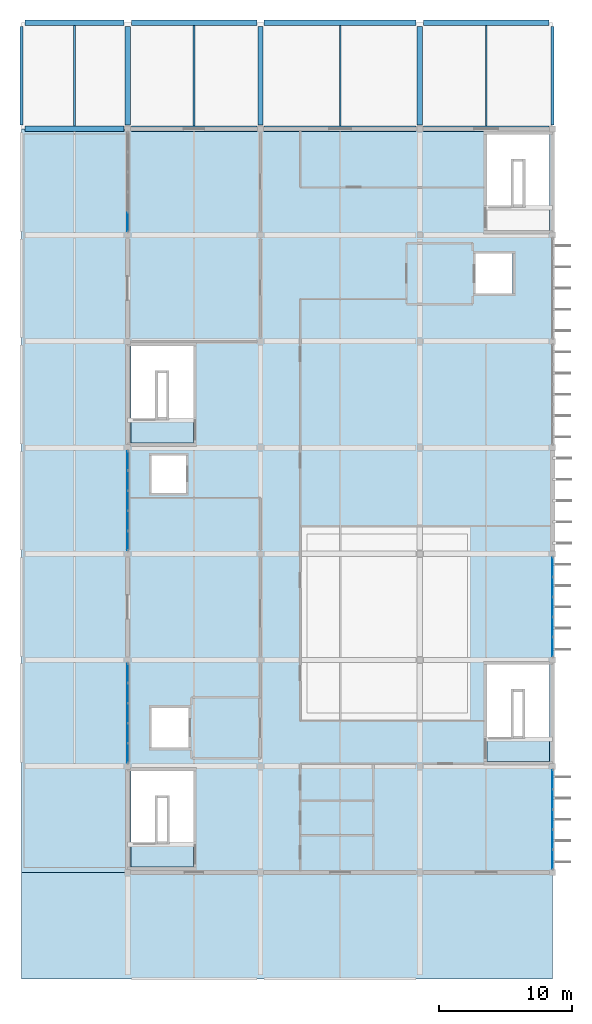
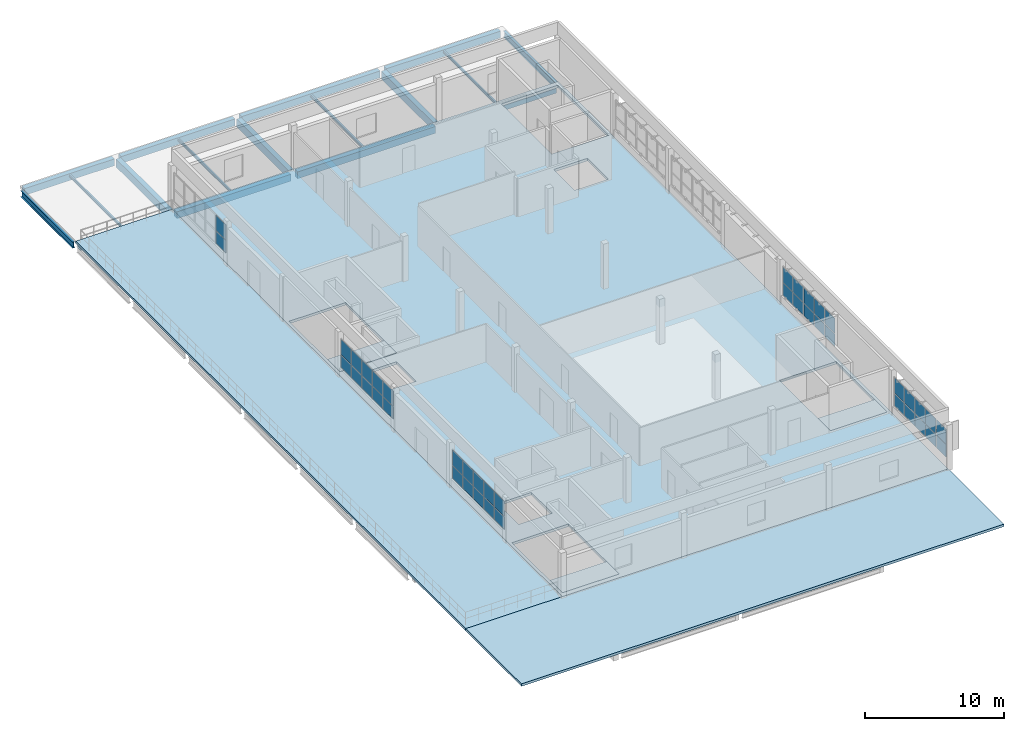
# One storey, part 7 of 12: 42 plates, 17 beams, 6 slabs, 5 elements without a shape of their own.
"""IFC4 building model written with IfcOpenShell, lengths in metres."""

from ifc_helpers import new_model, si_unit, direction, frame, origin, origin_2d, place, context, subcontext, project, spatial, polyline, rectangle, i_section, outline, extrude, material, layer, layer_set, material_profile, profile_set, type_object, element, aggregate, save


model = new_model("IFC4")

# Units and contexts
model_context = context("Model", 3, precision=1e-05, world=origin(), true_north=direction((0.0, 1.0)))
body_context = subcontext(model_context, "Body", "Model", "MODEL_VIEW")
ifc_project = project(units=[si_unit("LENGTHUNIT", "METRE"), si_unit("AREAUNIT", "SQUARE_METRE"), si_unit("VOLUMEUNIT", "CUBIC_METRE"), si_unit("PLANEANGLEUNIT", "RADIAN"), si_unit("MASSUNIT", "GRAM", prefix="KILO")], contexts=[model_context])

# Site, building, storey
site_placement = place(None, origin())
site = spatial("IfcSite", under=ifc_project, at=site_placement, CompositionType="ELEMENT")
building_placement = place(site_placement, origin())
building = spatial("IfcBuilding", under=site, at=building_placement, Name="Drelvana Railside Aquatics Centre", CompositionType="ELEMENT")
storey_placement = place(building_placement, frame((0.0, 0.0, 18.60009765625)))
storey = spatial("IfcBuildingStorey", under=building, at=storey_placement, Name="L04", CompositionType="ELEMENT", Elevation=18.60009765625)

# Beams
ifc_material_1 = material(Name="Concrete C40/50", Category="concrete")
ifc_material_profile_1 = material_profile(ifc_material_1, rectangle(XDim=0.39990234375, YDim=0.60009765625, at=origin_2d()), Name="RC 400x600")
ifc_profile_set_1 = profile_set([ifc_material_profile_1], Name="Concrete C40/50")
beam_type_1 = type_object("IfcBeamType", Name="STR-BM-BM-02-RC-400x600", PredefinedType="BEAM", material=ifc_profile_set_1)
beam_1_placement = place(storey_placement, frame((144.27490234375, 80.0, -0.525146484375), z_axis=(1.0, 0.0, 0.0), x_axis=(0.0, 1.0, 0.0)))
element("IfcBeam", 1, at=beam_1_placement, inside=storey, type_object=beam_type_1, Name="Girder BM-02 (L04)", PredefinedType="BEAM", context=body_context, shape_type="SweptSolid", body=[
    extrude(rectangle(XDim=0.39990234375, YDim=0.60009765625, at=origin_2d()), origin(), (0.0, 0.0, 1.0), 7.4501953125),
])
beam_2_placement = place(storey_placement, frame((152.27490234375, 80.0, -0.525146484375), z_axis=(1.0, 0.0, 0.0), x_axis=(0.0, 1.0, 0.0)))
element("IfcBeam", 2, at=beam_2_placement, inside=storey, type_object=beam_type_1, Name="Girder BM-02 (L04)", PredefinedType="BEAM", context=body_context, shape_type="SweptSolid", body=[
    extrude(rectangle(XDim=0.39990234375, YDim=0.60009765625, at=origin_2d()), origin(), (0.0, 0.0, 1.0), 9.4501953125),
])
beam_3_placement = place(storey_placement, frame((162.27490234375, 80.0, -0.525146484375), z_axis=(1.0, 0.0, 0.0), x_axis=(0.0, 1.0, 0.0)))
element("IfcBeam", 3, at=beam_3_placement, inside=storey, type_object=beam_type_1, Name="Girder BM-02 (L04)", PredefinedType="BEAM", context=body_context, shape_type="SweptSolid", body=[
    extrude(rectangle(XDim=0.39990234375, YDim=0.60009765625, at=origin_2d()), origin(), (0.0, 0.0, 1.0), 11.4501953125),
])
beam_4_placement = place(storey_placement, frame((174.27490234375, 80.0, -0.525146484375), z_axis=(1.0, 0.0, 0.0), x_axis=(0.0, 1.0, 0.0)))
element("IfcBeam", 4, at=beam_4_placement, inside=storey, type_object=beam_type_1, Name="Girder BM-02 (L04)", PredefinedType="BEAM", context=body_context, shape_type="SweptSolid", body=[
    extrude(rectangle(XDim=0.39990234375, YDim=0.60009765625, at=origin_2d()), origin(), (0.0, 0.0, 1.0), 9.4501953125),
])
beam_5_placement = place(storey_placement, frame((144.27490234375, 88.0, -0.525146484375), z_axis=(1.0, 0.0, 0.0), x_axis=(0.0, 1.0, 0.0)))
element("IfcBeam", 5, at=beam_5_placement, inside=storey, type_object=beam_type_1, Name="Girder BM-02 (L04)", PredefinedType="BEAM", context=body_context, shape_type="SweptSolid", body=[
    extrude(rectangle(XDim=0.39990234375, YDim=0.60009765625, at=origin_2d()), origin(), (0.0, 0.0, 1.0), 7.4501953125),
])
beam_6_placement = place(storey_placement, frame((152.27490234375, 88.0, -0.525146484375), z_axis=(1.0, 0.0, 0.0), x_axis=(0.0, 1.0, 0.0)))
element("IfcBeam", 6, at=beam_6_placement, inside=storey, type_object=beam_type_1, Name="Girder BM-02 (L04)", PredefinedType="BEAM", context=body_context, shape_type="SweptSolid", body=[
    extrude(rectangle(XDim=0.39990234375, YDim=0.60009765625, at=origin_2d()), origin(), (0.0, 0.0, 1.0), 9.4501953125),
])
beam_7_placement = place(storey_placement, frame((162.27490234375, 88.0, -0.525146484375), z_axis=(1.0, 0.0, 0.0), x_axis=(0.0, 1.0, 0.0)))
element("IfcBeam", 7, at=beam_7_placement, inside=storey, type_object=beam_type_1, Name="Girder BM-02 (L04)", PredefinedType="BEAM", context=body_context, shape_type="SweptSolid", body=[
    extrude(rectangle(XDim=0.39990234375, YDim=0.60009765625, at=origin_2d()), origin(), (0.0, 0.0, 1.0), 11.4501953125),
])
beam_8_placement = place(storey_placement, frame((174.27490234375, 88.0, -0.525146484375), z_axis=(1.0, 0.0, 0.0), x_axis=(0.0, 1.0, 0.0)))
element("IfcBeam", 8, at=beam_8_placement, inside=storey, type_object=beam_type_1, Name="Girder BM-02 (L04)", PredefinedType="BEAM", context=body_context, shape_type="SweptSolid", body=[
    extrude(rectangle(XDim=0.39990234375, YDim=0.60009765625, at=origin_2d()), origin(), (0.0, 0.0, 1.0), 9.4501953125),
])
ifc_material_profile_2 = material_profile(ifc_material_1, rectangle(XDim=0.39990234375, YDim=0.699951171875, at=origin_2d()), Name="RC 400x700")
ifc_profile_set_2 = profile_set([ifc_material_profile_2], Name="Concrete C40/50")
beam_type_2 = type_object("IfcBeamType", Name="STR-BM-BM-03-RC-400x700", PredefinedType="BEAM", material=ifc_profile_set_2)
for number, where, z_axis, x_axis, name in (
    (9, (152.0, 80.27490234375, -0.5751953125), (0.0, 1.0, 0.0), (-1.0, 0.0, 0.0), "Girder BM-03 (L04)"),
    (10, (162.0, 80.27490234375, -0.5751953125), (0.0, 1.0, 0.0), (-1.0, 0.0, 0.0), "Girder BM-03 (L04)"),
    (11, (174.0, 80.27490234375, -0.5751953125), (0.0, 1.0, 0.0), (-1.0, 0.0, 0.0), "Girder BM-03 (L04)"),
):
    element("IfcBeam", number, at=place(storey_placement, frame(where, z_axis=z_axis, x_axis=x_axis)), inside=storey, type_object=beam_type_2, Name=name, PredefinedType="BEAM", context=body_context, shape_type="SweptSolid", body=[
        extrude(rectangle(XDim=0.39990234375, YDim=0.699951171875, at=origin_2d()), origin(), (0.0, 0.0, 1.0), 7.4501953125),
    ])
ifc_material_2 = material(Name="Structural steel S355", Category="steel")
ifc_material_profile_3 = material_profile(ifc_material_2, i_section(OverallWidth=0.2099609375, OverallDepth=0.550048828125, WebThickness=0.010986328125, FlangeThickness=0.01708984375, at=origin_2d()), Name="IPE 550")
ifc_profile_set_3 = profile_set([ifc_material_profile_3], Name="Structural steel S355")
beam_type_3 = type_object("IfcBeamType", Name="STR-SBM-SB-04-IPE-550", PredefinedType="SPANDREL", material=ifc_profile_set_3)
for number, where, z_axis, x_axis, name in (
    (12, (144.0, 80.27490234375, -0.5), (0.0, 1.0, 0.0), (-1.0, 0.0, 0.0), "Girder SB-04 (L04)"),
    (13, (184.0, 80.27490234375, -0.5), (0.0, 1.0, 0.0), (-1.0, 0.0, 0.0), "Girder SB-04 (L04)"),
):
    element("IfcBeam", number, at=place(storey_placement, frame(where, z_axis=z_axis, x_axis=x_axis)), inside=storey, type_object=beam_type_3, Name=name, PredefinedType="SPANDREL", context=body_context, shape_type="SweptSolid", body=[
        extrude(i_section(OverallWidth=0.2099609375, OverallDepth=0.550048828125, WebThickness=0.010986328125, FlangeThickness=0.01708984375, at=origin_2d()), origin(), (0.0, 0.0, 1.0), 7.4501953125),
    ])
ifc_material_profile_4 = material_profile(ifc_material_2, i_section(OverallWidth=0.1201171875, OverallDepth=0.239990234375, WebThickness=0.006103515625, FlangeThickness=0.009765625, at=origin_2d()), Name="IPE 240")
ifc_profile_set_4 = profile_set([ifc_material_profile_4], Name="Structural steel S355")
beam_type_4 = type_object("IfcBeamType", Name="STR-SBM-SJ-01-IPE-240", PredefinedType="JOIST", material=ifc_profile_set_4)
for number, where, z_axis, x_axis, name in (
    (14, (148.0, 80.199951171875, -0.34521484375), (0.0, 1.0, 0.0), (-1.0, 0.0, 0.0), "Secondary floor joist SJ-01 (L04)"),
    (15, (157.0, 80.199951171875, -0.34521484375), (0.0, 1.0, 0.0), (-1.0, 0.0, 0.0), "Secondary floor joist SJ-01 (L04)"),
    (16, (168.0, 80.199951171875, -0.34521484375), (0.0, 1.0, 0.0), (-1.0, 0.0, 0.0), "Secondary floor joist SJ-01 (L04)"),
    (17, (179.0, 80.199951171875, -0.34521484375), (0.0, 1.0, 0.0), (-1.0, 0.0, 0.0), "Secondary floor joist SJ-01 (L04)"),
):
    element("IfcBeam", number, at=place(storey_placement, frame(where, z_axis=z_axis, x_axis=x_axis)), inside=storey, type_object=beam_type_4, Name=name, PredefinedType="JOIST", context=body_context, shape_type="SweptSolid", body=[
        extrude(i_section(OverallWidth=0.1201171875, OverallDepth=0.239990234375, WebThickness=0.006103515625, FlangeThickness=0.009765625, at=origin_2d()), origin(), (0.0, 0.0, 1.0), 7.60009765625),
    ])

# Curtain wall, plates
ifc_material_3 = material(Name="Bronze-anodised aluminium curtain wall", Category="aluminium")
ifc_layer_1 = layer(ifc_material_3, 0.175048828125, Name="Bronze-anodised aluminium curtain wall")
ifc_layer_set_1 = layer_set([ifc_layer_1], Name="Bronze-anodised aluminium curtain wall")
curtain_wall_type = type_object("IfcCurtainWallType", Name="CW-Z6-WING", PredefinedType="NOTDEFINED", material=ifc_layer_set_1)
curtain_wall_1_placement = place(storey_placement, origin())
curtain_wall_1 = element("IfcCurtainWall", 18, at=curtain_wall_1_placement, inside=storey, type_object=curtain_wall_type, Name="Curtain wall CW-06-163", PredefinedType="NOTDEFINED")
ifc_material_4 = material(Name="Double-glazed low-e solar-control glass", Category="glass")
ifc_layer_2 = layer(ifc_material_4, 0.02392578125, Name="Double-glazed low-e solar-control glass")
ifc_layer_set_2 = layer_set([ifc_layer_2], Name="Double-glazed low-e solar-control glass")
plate_type = type_object("IfcPlateType", Name="CW-Z6-WING-PAN", PredefinedType="CURTAIN_PANEL", material=ifc_layer_set_2)
plate_1_placement = place(storey_placement, frame((152.0, 32.991455078125, 0.84912109375), z_axis=(0.0, 0.0, 1.0), x_axis=(0.0, 1.0, 0.0)))
plate_1 = element("IfcPlate", 19, at=plate_1_placement, type_object=plate_type, Name="CW-06 panel 1.1", PredefinedType="CURTAIN_PANEL", context=body_context, shape_type="SweptSolid", body=[
    extrude(rectangle(XDim=1.4248046875, YDim=0.02392578125, at=origin_2d()), origin(), (0.0, 0.0, 1.0), 1.076904296875),
])
plate_2_placement = place(storey_placement, frame((152.0, 32.991455078125, 1.975830078125), z_axis=(0.0, 0.0, 1.0), x_axis=(0.0, 1.0, 0.0)))
plate_2 = element("IfcPlate", 20, at=plate_2_placement, type_object=plate_type, Name="CW-06 panel 1.2", PredefinedType="CURTAIN_PANEL", context=body_context, shape_type="SweptSolid", body=[
    extrude(rectangle(XDim=1.4248046875, YDim=0.02392578125, at=origin_2d()), origin(), (0.0, 0.0, 1.0), 1.333984375),
])
plate_3_placement = place(storey_placement, frame((152.0, 34.487548828125, 0.84912109375), z_axis=(0.0, 0.0, 1.0), x_axis=(0.0, 1.0, 0.0)))
plate_3 = element("IfcPlate", 21, at=plate_3_placement, type_object=plate_type, Name="CW-06 panel 2.1", PredefinedType="CURTAIN_PANEL", context=body_context, shape_type="SweptSolid", body=[
    extrude(rectangle(XDim=1.45751953125, YDim=0.02392578125, at=origin_2d()), origin(), (0.0, 0.0, 1.0), 1.076904296875),
])
plate_4_placement = place(storey_placement, frame((152.0, 34.487548828125, 1.975830078125), z_axis=(0.0, 0.0, 1.0), x_axis=(0.0, 1.0, 0.0)))
plate_4 = element("IfcPlate", 22, at=plate_4_placement, type_object=plate_type, Name="CW-06 panel 2.2", PredefinedType="CURTAIN_PANEL", context=body_context, shape_type="SweptSolid", body=[
    extrude(rectangle(XDim=1.45751953125, YDim=0.02392578125, at=origin_2d()), origin(), (0.0, 0.0, 1.0), 1.333984375),
])
plate_5_placement = place(storey_placement, frame((152.0, 36.0, 0.84912109375), z_axis=(0.0, 0.0, 1.0), x_axis=(0.0, 1.0, 0.0)))
plate_5 = element("IfcPlate", 23, at=plate_5_placement, type_object=plate_type, Name="CW-06 panel 3.1", PredefinedType="CURTAIN_PANEL", context=body_context, shape_type="SweptSolid", body=[
    extrude(rectangle(XDim=1.45751953125, YDim=0.02392578125, at=origin_2d()), origin(), (0.0, 0.0, 1.0), 1.076904296875),
])
plate_6_placement = place(storey_placement, frame((152.0, 36.0, 1.975830078125), z_axis=(0.0, 0.0, 1.0), x_axis=(0.0, 1.0, 0.0)))
plate_6 = element("IfcPlate", 24, at=plate_6_placement, type_object=plate_type, Name="CW-06 panel 3.2", PredefinedType="CURTAIN_PANEL", context=body_context, shape_type="SweptSolid", body=[
    extrude(rectangle(XDim=1.45751953125, YDim=0.02392578125, at=origin_2d()), origin(), (0.0, 0.0, 1.0), 1.333984375),
])
plate_7_placement = place(storey_placement, frame((152.0, 37.512451171875, 0.84912109375), z_axis=(0.0, 0.0, 1.0), x_axis=(0.0, 1.0, 0.0)))
plate_7 = element("IfcPlate", 25, at=plate_7_placement, type_object=plate_type, Name="CW-06 panel 4.1", PredefinedType="CURTAIN_PANEL", context=body_context, shape_type="SweptSolid", body=[
    extrude(rectangle(XDim=1.45751953125, YDim=0.02392578125, at=origin_2d()), origin(), (0.0, 0.0, 1.0), 1.076904296875),
])
plate_8_placement = place(storey_placement, frame((152.0, 37.512451171875, 1.975830078125), z_axis=(0.0, 0.0, 1.0), x_axis=(0.0, 1.0, 0.0)))
plate_8 = element("IfcPlate", 26, at=plate_8_placement, type_object=plate_type, Name="CW-06 panel 4.2", PredefinedType="CURTAIN_PANEL", context=body_context, shape_type="SweptSolid", body=[
    extrude(rectangle(XDim=1.45751953125, YDim=0.02392578125, at=origin_2d()), origin(), (0.0, 0.0, 1.0), 1.333984375),
])
plate_9_placement = place(storey_placement, frame((152.0, 39.008544921875, 0.84912109375), z_axis=(0.0, 0.0, 1.0), x_axis=(0.0, 1.0, 0.0)))
plate_9 = element("IfcPlate", 27, at=plate_9_placement, type_object=plate_type, Name="CW-06 panel 5.1", PredefinedType="CURTAIN_PANEL", context=body_context, shape_type="SweptSolid", body=[
    extrude(rectangle(XDim=1.4248046875, YDim=0.02392578125, at=origin_2d()), origin(), (0.0, 0.0, 1.0), 1.076904296875),
])
plate_10_placement = place(storey_placement, frame((152.0, 39.008544921875, 1.975830078125), z_axis=(0.0, 0.0, 1.0), x_axis=(0.0, 1.0, 0.0)))
plate_10 = element("IfcPlate", 28, at=plate_10_placement, type_object=plate_type, Name="CW-06 panel 5.2", PredefinedType="CURTAIN_PANEL", context=body_context, shape_type="SweptSolid", body=[
    extrude(rectangle(XDim=1.4248046875, YDim=0.02392578125, at=origin_2d()), origin(), (0.0, 0.0, 1.0), 1.333984375),
])
aggregate(curtain_wall_1, [plate_1, plate_2, plate_3, plate_4, plate_5, plate_6, plate_7, plate_8, plate_9, plate_10])

curtain_wall_2_placement = place(storey_placement, origin())
curtain_wall_2 = element("IfcCurtainWall", 29, at=curtain_wall_2_placement, inside=storey, type_object=curtain_wall_type, Name="Curtain wall CW-06-164", PredefinedType="NOTDEFINED")
plate_11_placement = place(storey_placement, frame((152.0, 48.991455078125, 0.84912109375), z_axis=(0.0, 0.0, 1.0), x_axis=(0.0, 1.0, 0.0)))
plate_11 = element("IfcPlate", 30, at=plate_11_placement, type_object=plate_type, Name="CW-06 panel 1.1", PredefinedType="CURTAIN_PANEL", context=body_context, shape_type="SweptSolid", body=[
    extrude(rectangle(XDim=1.4248046875, YDim=0.02392578125, at=origin_2d()), origin(), (0.0, 0.0, 1.0), 1.076904296875),
])
plate_12_placement = place(storey_placement, frame((152.0, 48.991455078125, 1.975830078125), z_axis=(0.0, 0.0, 1.0), x_axis=(0.0, 1.0, 0.0)))
plate_12 = element("IfcPlate", 31, at=plate_12_placement, type_object=plate_type, Name="CW-06 panel 1.2", PredefinedType="CURTAIN_PANEL", context=body_context, shape_type="SweptSolid", body=[
    extrude(rectangle(XDim=1.4248046875, YDim=0.02392578125, at=origin_2d()), origin(), (0.0, 0.0, 1.0), 1.333984375),
])
plate_13_placement = place(storey_placement, frame((152.0, 50.487548828125, 0.84912109375), z_axis=(0.0, 0.0, 1.0), x_axis=(0.0, 1.0, 0.0)))
plate_13 = element("IfcPlate", 32, at=plate_13_placement, type_object=plate_type, Name="CW-06 panel 2.1", PredefinedType="CURTAIN_PANEL", context=body_context, shape_type="SweptSolid", body=[
    extrude(rectangle(XDim=1.45751953125, YDim=0.02392578125, at=origin_2d()), origin(), (0.0, 0.0, 1.0), 1.076904296875),
])
plate_14_placement = place(storey_placement, frame((152.0, 50.487548828125, 1.975830078125), z_axis=(0.0, 0.0, 1.0), x_axis=(0.0, 1.0, 0.0)))
plate_14 = element("IfcPlate", 33, at=plate_14_placement, type_object=plate_type, Name="CW-06 panel 2.2", PredefinedType="CURTAIN_PANEL", context=body_context, shape_type="SweptSolid", body=[
    extrude(rectangle(XDim=1.45751953125, YDim=0.02392578125, at=origin_2d()), origin(), (0.0, 0.0, 1.0), 1.333984375),
])
plate_15_placement = place(storey_placement, frame((152.0, 52.0, 0.84912109375), z_axis=(0.0, 0.0, 1.0), x_axis=(0.0, 1.0, 0.0)))
plate_15 = element("IfcPlate", 34, at=plate_15_placement, type_object=plate_type, Name="CW-06 panel 3.1", PredefinedType="CURTAIN_PANEL", context=body_context, shape_type="SweptSolid", body=[
    extrude(rectangle(XDim=1.45751953125, YDim=0.02392578125, at=origin_2d()), origin(), (0.0, 0.0, 1.0), 1.076904296875),
])
plate_16_placement = place(storey_placement, frame((152.0, 52.0, 1.975830078125), z_axis=(0.0, 0.0, 1.0), x_axis=(0.0, 1.0, 0.0)))
plate_16 = element("IfcPlate", 35, at=plate_16_placement, type_object=plate_type, Name="CW-06 panel 3.2", PredefinedType="CURTAIN_PANEL", context=body_context, shape_type="SweptSolid", body=[
    extrude(rectangle(XDim=1.45751953125, YDim=0.02392578125, at=origin_2d()), origin(), (0.0, 0.0, 1.0), 1.333984375),
])
plate_17_placement = place(storey_placement, frame((152.0, 53.512451171875, 0.84912109375), z_axis=(0.0, 0.0, 1.0), x_axis=(0.0, 1.0, 0.0)))
plate_17 = element("IfcPlate", 36, at=plate_17_placement, type_object=plate_type, Name="CW-06 panel 4.1", PredefinedType="CURTAIN_PANEL", context=body_context, shape_type="SweptSolid", body=[
    extrude(rectangle(XDim=1.45751953125, YDim=0.02392578125, at=origin_2d()), origin(), (0.0, 0.0, 1.0), 1.076904296875),
])
plate_18_placement = place(storey_placement, frame((152.0, 53.512451171875, 1.975830078125), z_axis=(0.0, 0.0, 1.0), x_axis=(0.0, 1.0, 0.0)))
plate_18 = element("IfcPlate", 37, at=plate_18_placement, type_object=plate_type, Name="CW-06 panel 4.2", PredefinedType="CURTAIN_PANEL", context=body_context, shape_type="SweptSolid", body=[
    extrude(rectangle(XDim=1.45751953125, YDim=0.02392578125, at=origin_2d()), origin(), (0.0, 0.0, 1.0), 1.333984375),
])
plate_19_placement = place(storey_placement, frame((152.0, 55.008544921875, 0.84912109375), z_axis=(0.0, 0.0, 1.0), x_axis=(0.0, 1.0, 0.0)))
plate_19 = element("IfcPlate", 38, at=plate_19_placement, type_object=plate_type, Name="CW-06 panel 5.1", PredefinedType="CURTAIN_PANEL", context=body_context, shape_type="SweptSolid", body=[
    extrude(rectangle(XDim=1.4248046875, YDim=0.02392578125, at=origin_2d()), origin(), (0.0, 0.0, 1.0), 1.076904296875),
])
plate_20_placement = place(storey_placement, frame((152.0, 55.008544921875, 1.975830078125), z_axis=(0.0, 0.0, 1.0), x_axis=(0.0, 1.0, 0.0)))
plate_20 = element("IfcPlate", 39, at=plate_20_placement, type_object=plate_type, Name="CW-06 panel 5.2", PredefinedType="CURTAIN_PANEL", context=body_context, shape_type="SweptSolid", body=[
    extrude(rectangle(XDim=1.4248046875, YDim=0.02392578125, at=origin_2d()), origin(), (0.0, 0.0, 1.0), 1.333984375),
])
aggregate(curtain_wall_2, [plate_11, plate_12, plate_13, plate_14, plate_15, plate_16, plate_17, plate_18, plate_19, plate_20])

curtain_wall_3_placement = place(storey_placement, origin())
curtain_wall_3 = element("IfcCurtainWall", 40, at=curtain_wall_3_placement, inside=storey, type_object=curtain_wall_type, Name="Curtain wall CW-06-165", PredefinedType="NOTDEFINED")
plate_21_placement = place(storey_placement, frame((152.0, 72.991455078125, 0.84912109375), z_axis=(0.0, 0.0, 1.0), x_axis=(0.0, 1.0, 0.0)))
plate_21 = element("IfcPlate", 41, at=plate_21_placement, type_object=plate_type, Name="CW-06 panel 1.1", PredefinedType="CURTAIN_PANEL", context=body_context, shape_type="SweptSolid", body=[
    extrude(rectangle(XDim=1.4248046875, YDim=0.02392578125, at=origin_2d()), origin(), (0.0, 0.0, 1.0), 1.076904296875),
])
plate_22_placement = place(storey_placement, frame((152.0, 72.991455078125, 1.975830078125), z_axis=(0.0, 0.0, 1.0), x_axis=(0.0, 1.0, 0.0)))
plate_22 = element("IfcPlate", 42, at=plate_22_placement, type_object=plate_type, Name="CW-06 panel 1.2", PredefinedType="CURTAIN_PANEL", context=body_context, shape_type="SweptSolid", body=[
    extrude(rectangle(XDim=1.4248046875, YDim=0.02392578125, at=origin_2d()), origin(), (0.0, 0.0, 1.0), 1.333984375),
])
aggregate(curtain_wall_3, [plate_21, plate_22])

curtain_wall_4_placement = place(storey_placement, origin())
curtain_wall_4 = element("IfcCurtainWall", 43, at=curtain_wall_4_placement, inside=storey, type_object=curtain_wall_type, Name="Curtain wall CW-06-170", PredefinedType="NOTDEFINED")
plate_23_placement = place(storey_placement, frame((184.0, 24.991455078125, 0.84912109375), z_axis=(0.0, 0.0, 1.0), x_axis=(0.0, 1.0, 0.0)))
plate_23 = element("IfcPlate", 44, at=plate_23_placement, type_object=plate_type, Name="CW-06 panel 1.1", PredefinedType="CURTAIN_PANEL", context=body_context, shape_type="SweptSolid", body=[
    extrude(rectangle(XDim=1.4248046875, YDim=0.02392578125, at=origin_2d()), origin(), (0.0, 0.0, 1.0), 1.076904296875),
])
plate_24_placement = place(storey_placement, frame((184.0, 24.991455078125, 1.975830078125), z_axis=(0.0, 0.0, 1.0), x_axis=(0.0, 1.0, 0.0)))
plate_24 = element("IfcPlate", 45, at=plate_24_placement, type_object=plate_type, Name="CW-06 panel 1.2", PredefinedType="CURTAIN_PANEL", context=body_context, shape_type="SweptSolid", body=[
    extrude(rectangle(XDim=1.4248046875, YDim=0.02392578125, at=origin_2d()), origin(), (0.0, 0.0, 1.0), 1.333984375),
])
plate_25_placement = place(storey_placement, frame((184.0, 26.487548828125, 0.84912109375), z_axis=(0.0, 0.0, 1.0), x_axis=(0.0, 1.0, 0.0)))
plate_25 = element("IfcPlate", 46, at=plate_25_placement, type_object=plate_type, Name="CW-06 panel 2.1", PredefinedType="CURTAIN_PANEL", context=body_context, shape_type="SweptSolid", body=[
    extrude(rectangle(XDim=1.45751953125, YDim=0.02392578125, at=origin_2d()), origin(), (0.0, 0.0, 1.0), 1.076904296875),
])
plate_26_placement = place(storey_placement, frame((184.0, 26.487548828125, 1.975830078125), z_axis=(0.0, 0.0, 1.0), x_axis=(0.0, 1.0, 0.0)))
plate_26 = element("IfcPlate", 47, at=plate_26_placement, type_object=plate_type, Name="CW-06 panel 2.2", PredefinedType="CURTAIN_PANEL", context=body_context, shape_type="SweptSolid", body=[
    extrude(rectangle(XDim=1.45751953125, YDim=0.02392578125, at=origin_2d()), origin(), (0.0, 0.0, 1.0), 1.333984375),
])
plate_27_placement = place(storey_placement, frame((184.0, 28.0, 0.84912109375), z_axis=(0.0, 0.0, 1.0), x_axis=(0.0, 1.0, 0.0)))
plate_27 = element("IfcPlate", 48, at=plate_27_placement, type_object=plate_type, Name="CW-06 panel 3.1", PredefinedType="CURTAIN_PANEL", context=body_context, shape_type="SweptSolid", body=[
    extrude(rectangle(XDim=1.45751953125, YDim=0.02392578125, at=origin_2d()), origin(), (0.0, 0.0, 1.0), 1.076904296875),
])
plate_28_placement = place(storey_placement, frame((184.0, 28.0, 1.975830078125), z_axis=(0.0, 0.0, 1.0), x_axis=(0.0, 1.0, 0.0)))
plate_28 = element("IfcPlate", 49, at=plate_28_placement, type_object=plate_type, Name="CW-06 panel 3.2", PredefinedType="CURTAIN_PANEL", context=body_context, shape_type="SweptSolid", body=[
    extrude(rectangle(XDim=1.45751953125, YDim=0.02392578125, at=origin_2d()), origin(), (0.0, 0.0, 1.0), 1.333984375),
])
plate_29_placement = place(storey_placement, frame((184.0, 29.512451171875, 0.84912109375), z_axis=(0.0, 0.0, 1.0), x_axis=(0.0, 1.0, 0.0)))
plate_29 = element("IfcPlate", 50, at=plate_29_placement, type_object=plate_type, Name="CW-06 panel 4.1", PredefinedType="CURTAIN_PANEL", context=body_context, shape_type="SweptSolid", body=[
    extrude(rectangle(XDim=1.45751953125, YDim=0.02392578125, at=origin_2d()), origin(), (0.0, 0.0, 1.0), 1.076904296875),
])
plate_30_placement = place(storey_placement, frame((184.0, 29.512451171875, 1.975830078125), z_axis=(0.0, 0.0, 1.0), x_axis=(0.0, 1.0, 0.0)))
plate_30 = element("IfcPlate", 51, at=plate_30_placement, type_object=plate_type, Name="CW-06 panel 4.2", PredefinedType="CURTAIN_PANEL", context=body_context, shape_type="SweptSolid", body=[
    extrude(rectangle(XDim=1.45751953125, YDim=0.02392578125, at=origin_2d()), origin(), (0.0, 0.0, 1.0), 1.333984375),
])
plate_31_placement = place(storey_placement, frame((184.0, 31.008544921875, 0.84912109375), z_axis=(0.0, 0.0, 1.0), x_axis=(0.0, 1.0, 0.0)))
plate_31 = element("IfcPlate", 52, at=plate_31_placement, type_object=plate_type, Name="CW-06 panel 5.1", PredefinedType="CURTAIN_PANEL", context=body_context, shape_type="SweptSolid", body=[
    extrude(rectangle(XDim=1.4248046875, YDim=0.02392578125, at=origin_2d()), origin(), (0.0, 0.0, 1.0), 1.076904296875),
])
plate_32_placement = place(storey_placement, frame((184.0, 31.008544921875, 1.975830078125), z_axis=(0.0, 0.0, 1.0), x_axis=(0.0, 1.0, 0.0)))
plate_32 = element("IfcPlate", 53, at=plate_32_placement, type_object=plate_type, Name="CW-06 panel 5.2", PredefinedType="CURTAIN_PANEL", context=body_context, shape_type="SweptSolid", body=[
    extrude(rectangle(XDim=1.4248046875, YDim=0.02392578125, at=origin_2d()), origin(), (0.0, 0.0, 1.0), 1.333984375),
])
aggregate(curtain_wall_4, [plate_23, plate_24, plate_25, plate_26, plate_27, plate_28, plate_29, plate_30, plate_31, plate_32])

curtain_wall_5_placement = place(storey_placement, origin())
curtain_wall_5 = element("IfcCurtainWall", 54, at=curtain_wall_5_placement, inside=storey, type_object=curtain_wall_type, Name="Curtain wall CW-06-174", PredefinedType="NOTDEFINED")
plate_33_placement = place(storey_placement, frame((184.0, 40.991455078125, 0.84912109375), z_axis=(0.0, 0.0, 1.0), x_axis=(0.0, 1.0, 0.0)))
plate_33 = element("IfcPlate", 55, at=plate_33_placement, type_object=plate_type, Name="CW-06 panel 1.1", PredefinedType="CURTAIN_PANEL", context=body_context, shape_type="SweptSolid", body=[
    extrude(rectangle(XDim=1.4248046875, YDim=0.02392578125, at=origin_2d()), origin(), (0.0, 0.0, 1.0), 1.076904296875),
])
plate_34_placement = place(storey_placement, frame((184.0, 40.991455078125, 1.975830078125), z_axis=(0.0, 0.0, 1.0), x_axis=(0.0, 1.0, 0.0)))
plate_34 = element("IfcPlate", 56, at=plate_34_placement, type_object=plate_type, Name="CW-06 panel 1.2", PredefinedType="CURTAIN_PANEL", context=body_context, shape_type="SweptSolid", body=[
    extrude(rectangle(XDim=1.4248046875, YDim=0.02392578125, at=origin_2d()), origin(), (0.0, 0.0, 1.0), 1.333984375),
])
plate_35_placement = place(storey_placement, frame((184.0, 42.487548828125, 0.84912109375), z_axis=(0.0, 0.0, 1.0), x_axis=(0.0, 1.0, 0.0)))
plate_35 = element("IfcPlate", 57, at=plate_35_placement, type_object=plate_type, Name="CW-06 panel 2.1", PredefinedType="CURTAIN_PANEL", context=body_context, shape_type="SweptSolid", body=[
    extrude(rectangle(XDim=1.45751953125, YDim=0.02392578125, at=origin_2d()), origin(), (0.0, 0.0, 1.0), 1.076904296875),
])
plate_36_placement = place(storey_placement, frame((184.0, 42.487548828125, 1.975830078125), z_axis=(0.0, 0.0, 1.0), x_axis=(0.0, 1.0, 0.0)))
plate_36 = element("IfcPlate", 58, at=plate_36_placement, type_object=plate_type, Name="CW-06 panel 2.2", PredefinedType="CURTAIN_PANEL", context=body_context, shape_type="SweptSolid", body=[
    extrude(rectangle(XDim=1.45751953125, YDim=0.02392578125, at=origin_2d()), origin(), (0.0, 0.0, 1.0), 1.333984375),
])
plate_37_placement = place(storey_placement, frame((184.0, 44.0, 0.84912109375), z_axis=(0.0, 0.0, 1.0), x_axis=(0.0, 1.0, 0.0)))
plate_37 = element("IfcPlate", 59, at=plate_37_placement, type_object=plate_type, Name="CW-06 panel 3.1", PredefinedType="CURTAIN_PANEL", context=body_context, shape_type="SweptSolid", body=[
    extrude(rectangle(XDim=1.45751953125, YDim=0.02392578125, at=origin_2d()), origin(), (0.0, 0.0, 1.0), 1.076904296875),
])
plate_38_placement = place(storey_placement, frame((184.0, 44.0, 1.975830078125), z_axis=(0.0, 0.0, 1.0), x_axis=(0.0, 1.0, 0.0)))
plate_38 = element("IfcPlate", 60, at=plate_38_placement, type_object=plate_type, Name="CW-06 panel 3.2", PredefinedType="CURTAIN_PANEL", context=body_context, shape_type="SweptSolid", body=[
    extrude(rectangle(XDim=1.45751953125, YDim=0.02392578125, at=origin_2d()), origin(), (0.0, 0.0, 1.0), 1.333984375),
])
plate_39_placement = place(storey_placement, frame((184.0, 45.512451171875, 0.84912109375), z_axis=(0.0, 0.0, 1.0), x_axis=(0.0, 1.0, 0.0)))
plate_39 = element("IfcPlate", 61, at=plate_39_placement, type_object=plate_type, Name="CW-06 panel 4.1", PredefinedType="CURTAIN_PANEL", context=body_context, shape_type="SweptSolid", body=[
    extrude(rectangle(XDim=1.45751953125, YDim=0.02392578125, at=origin_2d()), origin(), (0.0, 0.0, 1.0), 1.076904296875),
])
plate_40_placement = place(storey_placement, frame((184.0, 45.512451171875, 1.975830078125), z_axis=(0.0, 0.0, 1.0), x_axis=(0.0, 1.0, 0.0)))
plate_40 = element("IfcPlate", 62, at=plate_40_placement, type_object=plate_type, Name="CW-06 panel 4.2", PredefinedType="CURTAIN_PANEL", context=body_context, shape_type="SweptSolid", body=[
    extrude(rectangle(XDim=1.45751953125, YDim=0.02392578125, at=origin_2d()), origin(), (0.0, 0.0, 1.0), 1.333984375),
])
plate_41_placement = place(storey_placement, frame((184.0, 47.008544921875, 0.84912109375), z_axis=(0.0, 0.0, 1.0), x_axis=(0.0, 1.0, 0.0)))
plate_41 = element("IfcPlate", 63, at=plate_41_placement, type_object=plate_type, Name="CW-06 panel 5.1", PredefinedType="CURTAIN_PANEL", context=body_context, shape_type="SweptSolid", body=[
    extrude(rectangle(XDim=1.4248046875, YDim=0.02392578125, at=origin_2d()), origin(), (0.0, 0.0, 1.0), 1.076904296875),
])
plate_42_placement = place(storey_placement, frame((184.0, 47.008544921875, 1.975830078125), z_axis=(0.0, 0.0, 1.0), x_axis=(0.0, 1.0, 0.0)))
plate_42 = element("IfcPlate", 64, at=plate_42_placement, type_object=plate_type, Name="CW-06 panel 5.2", PredefinedType="CURTAIN_PANEL", context=body_context, shape_type="SweptSolid", body=[
    extrude(rectangle(XDim=1.4248046875, YDim=0.02392578125, at=origin_2d()), origin(), (0.0, 0.0, 1.0), 1.333984375),
])
aggregate(curtain_wall_5, [plate_33, plate_34, plate_35, plate_36, plate_37, plate_38, plate_39, plate_40, plate_41, plate_42])

# Slabs
ifc_layer_3 = layer(ifc_material_1, 0.22509765625, Name="Concrete C40/50")
ifc_layer_set_3 = layer_set([ifc_layer_3], Name="Concrete C40/50")
slab_type_1 = type_object("IfcSlabType", Name="SL-L04-225", PredefinedType="FLOOR", material=ifc_layer_set_3)
slab_1_placement = place(storey_placement, frame((0.0, 0.0, -0.22509765625)))
element("IfcSlab", 65, at=slab_1_placement, inside=storey, type_object=slab_type_1, Name="Aquatics Federation Administration L04 floor slab", PredefinedType="FLOOR", context=body_context, shape_type="SweptSolid", body=[
    extrude(outline(polyline([(152.0, 24.0), (184.0, 24.0), (184.0, 80.0), (152.0, 80.0), (152.0, 24.0)]), holes=[polyline([(152.25, 24.409912109375), (156.949951171875, 24.409912109375), (156.949951171875, 31.64990234375), (152.25, 31.64990234375), (152.25, 24.409912109375)]), polyline([(153.800048828125, 33.39990234375), (156.60009765625, 33.39990234375), (156.60009765625, 36.39990234375), (153.800048828125, 36.39990234375), (153.800048828125, 33.39990234375)]), polyline([(179.050048828125, 72.35009765625), (183.75, 72.35009765625), (183.75, 79.590087890625), (179.050048828125, 79.590087890625), (179.050048828125, 72.35009765625)]), polyline([(178.199951171875, 67.60009765625), (181.0, 67.60009765625), (181.0, 70.60009765625), (178.199951171875, 70.60009765625), (178.199951171875, 67.60009765625)]), polyline([(152.25, 56.35009765625), (156.949951171875, 56.35009765625), (156.949951171875, 63.64990234375), (152.25, 63.64990234375), (152.25, 56.35009765625)]), polyline([(153.800048828125, 52.60009765625), (156.39990234375, 52.60009765625), (156.39990234375, 55.39990234375), (153.800048828125, 55.39990234375), (153.800048828125, 52.60009765625)]), polyline([(179.050048828125, 32.35009765625), (183.75, 32.35009765625), (183.75, 39.64990234375), (179.050048828125, 39.64990234375), (179.050048828125, 32.35009765625)])]), origin(), (0.0, 0.0, 1.0), 0.22509765625),
])
ifc_layer_4 = layer(ifc_material_1, 0.199951171875, Name="Concrete C40/50")
ifc_layer_set_4 = layer_set([ifc_layer_4], Name="Concrete C40/50")
slab_type_2 = type_object("IfcSlabType", Name="SL-LAND-200", PredefinedType="LANDING", material=ifc_layer_set_4)
slab_2_placement = place(storey_placement, frame((0.0, 0.0, -0.2001953125)))
element("IfcSlab", 66, at=slab_2_placement, inside=storey, type_object=slab_type_2, Name="Stair ST-06 L04 floor landing", PredefinedType="LANDING", context=body_context, shape_type="SweptSolid", body=[
    extrude(outline(polyline([(152.25, 24.409912109375), (156.949951171875, 24.409912109375), (156.949951171875, 26.2099609375), (152.25, 26.2099609375), (152.25, 24.409912109375)])), origin(), (0.0, 0.0, 1.0), 0.2001953125),
])
slab_3_placement = place(storey_placement, frame((0.0, 0.0, -0.2001953125)))
element("IfcSlab", 67, at=slab_3_placement, inside=storey, type_object=slab_type_2, Name="Stair ST-08 L04 floor landing", PredefinedType="LANDING", context=body_context, shape_type="SweptSolid", body=[
    extrude(outline(polyline([(152.25, 56.35009765625), (156.949951171875, 56.35009765625), (156.949951171875, 58.14990234375), (152.25, 58.14990234375), (152.25, 56.35009765625)])), origin(), (0.0, 0.0, 1.0), 0.2001953125),
])
slab_4_placement = place(storey_placement, frame((0.0, 0.0, -0.2001953125)))
element("IfcSlab", 68, at=slab_4_placement, inside=storey, type_object=slab_type_2, Name="Stair ST-09 L04 floor landing", PredefinedType="LANDING", context=body_context, shape_type="SweptSolid", body=[
    extrude(outline(polyline([(179.050048828125, 32.35009765625), (183.75, 32.35009765625), (183.75, 34.14990234375), (179.050048828125, 34.14990234375), (179.050048828125, 32.35009765625)])), origin(), (0.0, 0.0, 1.0), 0.2001953125),
])
ifc_layer_5 = layer(ifc_material_1, 0.215087890625, Name="Concrete C40/50")
ifc_layer_set_5 = layer_set([ifc_layer_5], Name="Concrete C40/50")
slab_type_3 = type_object("IfcSlabType", Name="SL-RF-215", PredefinedType="ROOF", material=ifc_layer_set_5)
slab_5_placement = place(storey_placement, frame((0.0, 0.0, -0.215087890625)))
element("IfcSlab", 69, at=slab_5_placement, inside=storey, type_object=slab_type_3, Name="V5 L04 south setback roof slab", PredefinedType="ROOF", context=body_context, shape_type="SweptSolid", body=[
    extrude(outline(polyline([(144.0, 16.0), (184.0, 16.0), (184.0, 24.0), (144.0, 24.0), (144.0, 16.0)])), origin(), (0.0, 0.0, 1.0), 0.215087890625),
])
ifc_material_5 = material(Name="Waterproof concrete C40/50", Category="concrete")
ifc_layer_6 = layer(ifc_material_5, 0.2099609375, Name="Waterproof concrete C40/50")
ifc_layer_set_6 = layer_set([ifc_layer_6], Name="Waterproof concrete C40/50")
slab_type_4 = type_object("IfcSlabType", Name="SL-TER-210", PredefinedType="FLOOR", material=ifc_layer_set_6)
slab_6_placement = place(storey_placement, frame((0.0, 0.0, -0.210205078125)))
element("IfcSlab", 70, at=slab_6_placement, inside=storey, type_object=slab_type_4, Name="L04 West Court Belvedere Terrace slab", PredefinedType="FLOOR", context=body_context, shape_type="SweptSolid", body=[
    extrude(outline(polyline([(144.0, 24.0), (152.0, 24.0), (152.0, 80.0), (144.0, 80.0), (144.0, 24.0)])), origin(), (0.0, 0.0, 1.0), 0.210205078125),
])

save(model, "model.ifc")
